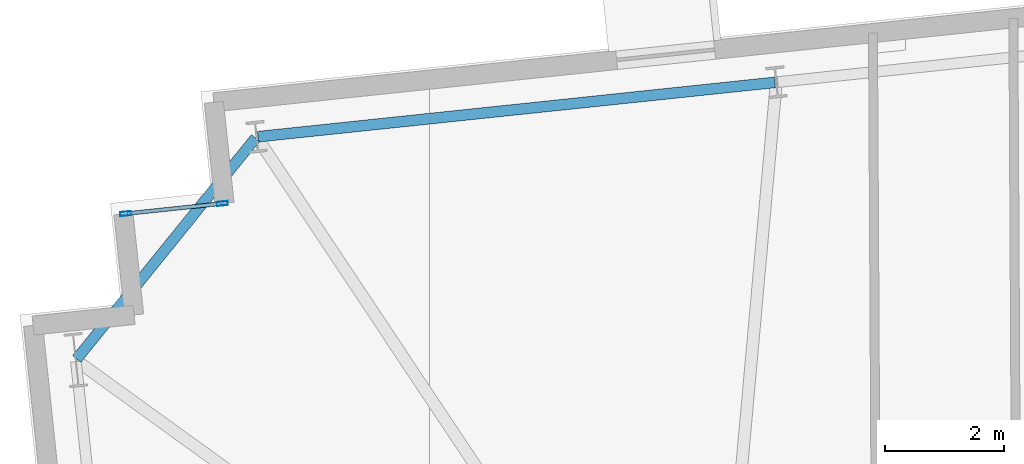
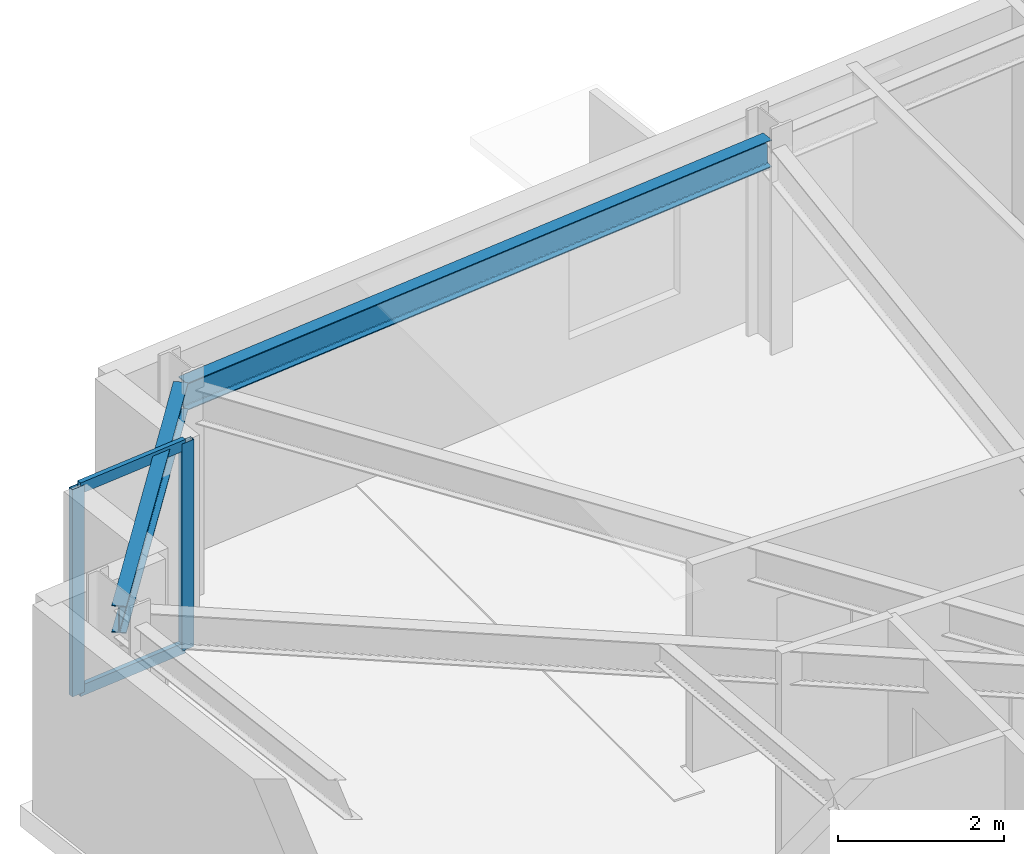
# One storey, part 8 of 20: 4 members, 2 beams, 1 element without a shape of its own.
"""IFC4 building model written with IfcOpenShell, lengths in metres."""

from ifc_helpers import new_model, si_unit, direction, frame, origin, origin_2d, place, context, subcontext, project, spatial, hollow_rectangle, i_section, extrude, material, layer, layer_set, material_profile, profile_set, type_object, element, aggregate, save


model = new_model("IFC4")

# Units and contexts
model_context = context("Model", 3, precision=1e-05, world=origin(), true_north=direction((0.0, 1.0)))
body_context = subcontext(model_context, "Body", "Model", "MODEL_VIEW")
ifc_project = project(units=[si_unit("LENGTHUNIT", "METRE"), si_unit("AREAUNIT", "SQUARE_METRE"), si_unit("VOLUMEUNIT", "CUBIC_METRE"), si_unit("PLANEANGLEUNIT", "RADIAN"), si_unit("MASSUNIT", "GRAM", prefix="KILO")], contexts=[model_context])

# Site, building, storey
site_placement = place(None, origin())
site = spatial("IfcSite", under=ifc_project, at=site_placement, CompositionType="ELEMENT")
building_placement = place(site_placement, origin())
building = spatial("IfcBuilding", under=site, at=building_placement, Name="Qobustan Lattice House", CompositionType="ELEMENT")
storey_placement = place(building_placement, frame((0.0, 0.0, 89.050048828125)))
storey = spatial("IfcBuildingStorey", under=building, at=storey_placement, Name="L24", CompositionType="ELEMENT", Elevation=89.050048828125)

# Beams
ifc_material_1 = material(Name="Steel S355", Category="steel")
ifc_material_profile_1 = material_profile(ifc_material_1, i_section(OverallWidth=0.179931640625, OverallDepth=0.39990234375, WebThickness=0.008544921875, FlangeThickness=0.013427734375, FilletRadius=0.02099609375, at=origin_2d()), Name="IPE400")
ifc_profile_set_1 = profile_set([ifc_material_profile_1], Name="Steel S355")
beam_type = type_object("IfcBeamType", Name="BM-SPD-IPE400", PredefinedType="SPANDREL", material=ifc_profile_set_1)
beam_1_placement = place(storey_placement, frame((-17.7158203125, 17.919189453125, 2.844970703125), z_axis=(-0.994521279781, -0.10453432002, 0.0), x_axis=(0.10453432002, -0.994521279781, 0.0)))
element("IfcBeam", 1, at=beam_1_placement, inside=storey, type_object=beam_type, Name="L24 perimeter spandrel N6-N7", PredefinedType="SPANDREL", context=body_context, shape_type="SweptSolid", body=[
    extrude(i_section(OverallWidth=0.179931640625, OverallDepth=0.39990234375, WebThickness=0.008544921875, FlangeThickness=0.013427734375, FilletRadius=0.02099609375, at=origin_2d()), origin(), (0.0, 0.0, 1.0), 8.69970703125),
])
beam_2_placement = place(storey_placement, frame((-26.40869140625, 16.98779296875, 2.844970703125), z_axis=(-0.629326627121, -0.777140911545, 0.0), x_axis=(0.777140911545, -0.629326627121, 0.0)))
element("IfcBeam", 2, at=beam_2_placement, inside=storey, type_object=beam_type, Name="L24 perimeter spandrel N7-W1", PredefinedType="SPANDREL", context=body_context, shape_type="SweptSolid", body=[
    extrude(i_section(OverallWidth=0.179931640625, OverallDepth=0.39990234375, WebThickness=0.008544921875, FlangeThickness=0.013427734375, FilletRadius=0.02099609375, at=origin_2d()), origin(), (0.0, 0.0, 1.0), 4.758544921875),
])

# Curtain wall, members
ifc_material_2 = material(Name="Anodised aluminium and low-E glazing", Category="aluminium")
ifc_layer = layer(ifc_material_2, 0.219970703125)
ifc_layer_set = layer_set([ifc_layer], Name="Anodised aluminium and low-E glazing")
curtain_wall_type = type_object("IfcCurtainWallType", Name="CW-FAC-01", PredefinedType="USERDEFINED", material=ifc_layer_set)
curtain_wall_placement = place(storey_placement, origin())
curtain_wall = element("IfcCurtainWall", 3, at=curtain_wall_placement, inside=storey, type_object=curtain_wall_type, Name="L24 serrated corner faceted glazing 8", ObjectType="CURTAIN WALL", PredefinedType="USERDEFINED")
ifc_material_3 = material(Name="Anodised aluminium EN AW-6063 T6", Category="aluminium")
ifc_material_profile_2 = material_profile(ifc_material_3, hollow_rectangle(XDim=0.070068359375, YDim=0.179931640625, WallThickness=0.00439453125, at=origin_2d()), Name="CWM-180x70")
ifc_profile_set_2 = profile_set([ifc_material_profile_2], Name="Anodised aluminium EN AW-6063 T6")
member_type_1 = type_object("IfcMemberType", Name="CWM-STD-180", PredefinedType="MULLION", material=ifc_profile_set_2)
member_1_placement = place(storey_placement, frame((-28.58544921875, 15.720947265625, 0.0), z_axis=(0.0, 0.0, 1.0), x_axis=(-0.104528620025, 0.994521878892, 0.0)))
member_1 = element("IfcMember", 4, at=member_1_placement, type_object=member_type_1, Name="CW-F1 mullion 1", PredefinedType="MULLION", context=body_context, shape_type="SweptSolid", body=[
    extrude(hollow_rectangle(XDim=0.070068359375, YDim=0.179931640625, WallThickness=0.00439453125, at=origin_2d()), origin(), (0.0, 0.0, 1.0), 3.044921875),
])
member_2_placement = place(storey_placement, frame((-26.96435546875, 15.891357421875, 0.0), z_axis=(0.0, 0.0, 1.0), x_axis=(-0.104528620025, 0.994521878892, 0.0)))
member_2 = element("IfcMember", 5, at=member_2_placement, type_object=member_type_1, Name="CW-F1 mullion 2", PredefinedType="MULLION", context=body_context, shape_type="SweptSolid", body=[
    extrude(hollow_rectangle(XDim=0.070068359375, YDim=0.179931640625, WallThickness=0.00439453125, at=origin_2d()), origin(), (0.0, 0.0, 1.0), 3.044921875),
])
ifc_material_4 = material(Name="Anodised aluminium EN AW-6063 T6", Category="aluminium")
ifc_material_profile_3 = material_profile(ifc_material_4, hollow_rectangle(XDim=0.06494140625, YDim=0.159912109375, WallThickness=0.00390625, at=origin_2d()), Name="CWT-160x65")
ifc_profile_set_3 = profile_set([ifc_material_profile_3], Name="Anodised aluminium EN AW-6063 T6")
member_type_2 = type_object("IfcMemberType", Name="CWT-HOR-160", PredefinedType="USERDEFINED", material=ifc_profile_set_3)
member_3_placement = place(storey_placement, frame((-28.55078125, 15.724609375, 0.032470703125), z_axis=(0.994520877159, 0.104538150424, 0.0), x_axis=(-0.104538150424, 0.994520877159, 0.0)))
member_3 = element("IfcMember", 6, at=member_3_placement, type_object=member_type_2, Name="CW-F1 transom 1.1", ObjectType="TRANSOM", PredefinedType="USERDEFINED", context=body_context, shape_type="SweptSolid", body=[
    extrude(hollow_rectangle(XDim=0.06494140625, YDim=0.159912109375, WallThickness=0.00390625, at=origin_2d()), origin(), (0.0, 0.0, 1.0), 1.56005859375),
])
member_4_placement = place(storey_placement, frame((-28.55078125, 15.724609375, 3.012451171875), z_axis=(0.994520877159, 0.104538150424, 0.0), x_axis=(-0.104538150424, 0.994520877159, 0.0)))
member_4 = element("IfcMember", 7, at=member_4_placement, type_object=member_type_2, Name="CW-F1 transom 1.2", ObjectType="TRANSOM", PredefinedType="USERDEFINED", context=body_context, shape_type="SweptSolid", body=[
    extrude(hollow_rectangle(XDim=0.06494140625, YDim=0.159912109375, WallThickness=0.00390625, at=origin_2d()), origin(), (0.0, 0.0, 1.0), 1.56005859375),
])
aggregate(curtain_wall, [member_1, member_2, member_3, member_4])

save(model, "model.ifc")
